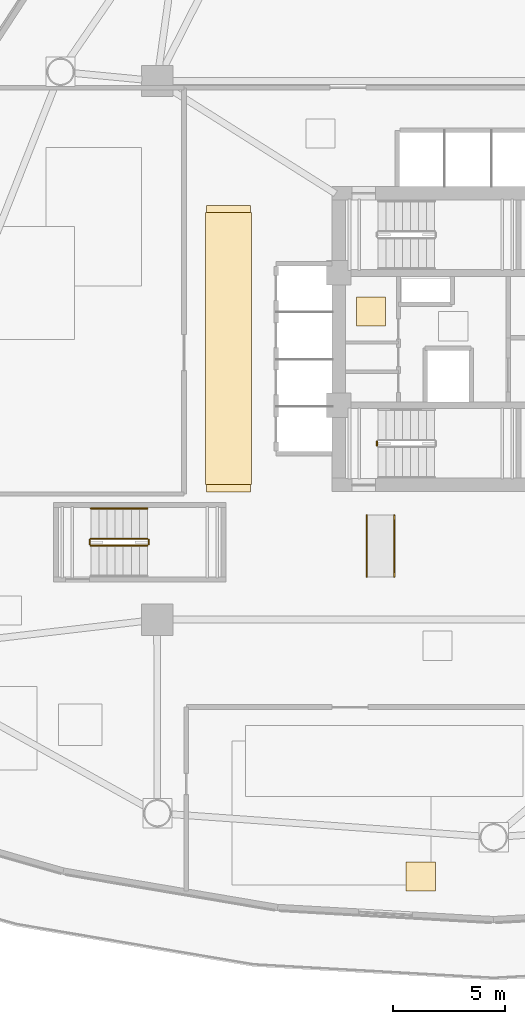
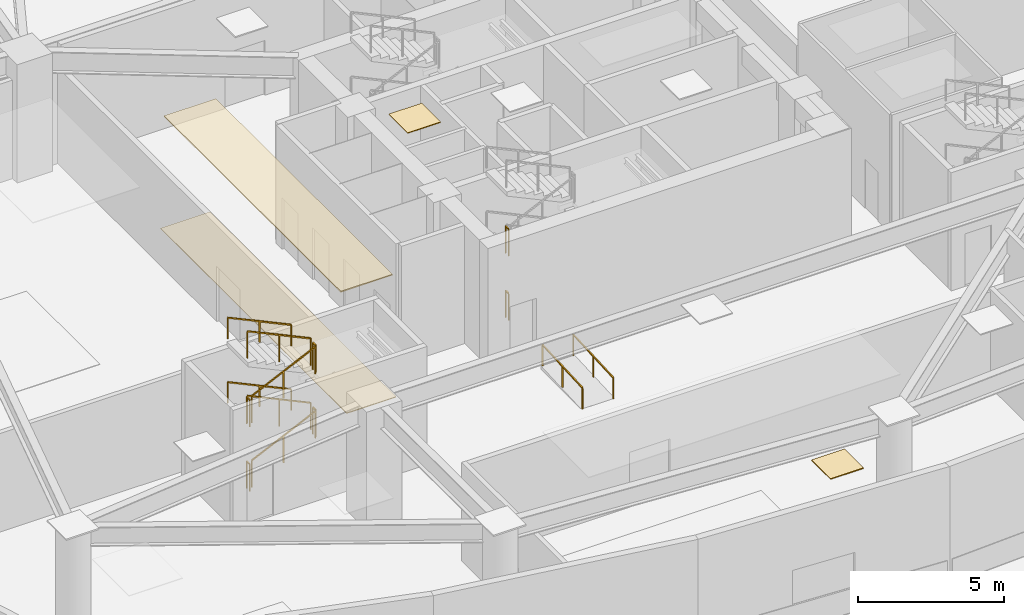
# One storey, part 8 of 13: 14 railings, 4 coverings.
"""IFC4 building model written with IfcOpenShell, lengths in metres."""

from ifc_helpers import new_model, si_unit, direction, frame, origin, origin_2d, place, context, subcontext, project, spatial, polyline, rectangle, outline, extrude, material, layer, layer_set, type_object, element, save


model = new_model("IFC4")

# Units and contexts
model_context = context("Model", 3, precision=1e-05, world=origin(), true_north=direction((0.0, 1.0)))
body_context = subcontext(model_context, "Body", "Model", "MODEL_VIEW")
ifc_project = project(units=[si_unit("LENGTHUNIT", "METRE"), si_unit("AREAUNIT", "SQUARE_METRE"), si_unit("VOLUMEUNIT", "CUBIC_METRE"), si_unit("PLANEANGLEUNIT", "RADIAN"), si_unit("MASSUNIT", "GRAM", prefix="KILO")], contexts=[model_context])

# Site, building, storey
site_placement = place(None, origin())
site = spatial("IfcSite", under=ifc_project, at=site_placement, CompositionType="ELEMENT")
building_placement = place(site_placement, origin())
building = spatial("IfcBuilding", under=site, at=building_placement, Name="Tavelor Broadcast Tower", CompositionType="ELEMENT")
storey_placement = place(building_placement, frame((0.0, 0.0, 16.800048828125)))
storey = spatial("IfcBuildingStorey", under=building, at=storey_placement, Name="L03", CompositionType="ELEMENT", Elevation=16.800048828125)

# Covering
ifc_material_1 = material(Name="Copper-Bronze Anodized Aluminium", Category="aluminium")
ifc_layer_1 = layer(ifc_material_1, 0.044921875)
ifc_layer_set_1 = layer_set([ifc_layer_1], Name="Copper-Bronze Anodized Aluminium")
covering_type_1 = type_object("IfcCoveringType", Name="Anodised Bronze Linear Slatted Concourse Ceiling 45 mm", PredefinedType="CEILING", material=ifc_layer_set_1)
covering_1_placement = place(storey_placement, frame((0.0, 0.0, 4.905029296875)))
element("IfcCovering", 1, at=covering_1_placement, inside=storey, type_object=covering_type_1, Name="L03 Suspended Acoustic Ceiling 0082", PredefinedType="CEILING", context=body_context, shape_type="SweptSolid", body=[
    extrude(outline(polyline([(37.1484375, 38.51025390625), (39.201416015625, 38.51025390625), (39.201416015625, 50.639892578125), (37.1484375, 50.639892578125), (37.1484375, 38.51025390625)])), origin(), (0.0, 0.0, 1.0), 0.044921875),
])

# Railings
ifc_material_2 = material(Name="Steel S355", Category="steel")
railing_type_1 = type_object("IfcRailingType", Name="Continuous Brushed Stainless Handrail 900 mm", PredefinedType="HANDRAIL", material=ifc_material_2)
for number, where, name in (
    (2, (34.570068359375, 37.449951171875, 1.518798828125), "L03 ST3 stair handrail 2"),
    (3, (34.570068359375, 37.449951171875, 4.21875), "L03 ST3 stair handrail 4"),
):
    element("IfcRailing", number, at=place(storey_placement, frame(where)), inside=storey, type_object=railing_type_1, Name=name, PredefinedType="HANDRAIL", context=body_context, shape_type="SweptSolid", body=[
        extrude(rectangle(XDim=0.048095703125, YDim=0.048095703125, at=origin_2d()), frame((0.0, 0.0, 0.8759765625), z_axis=(-0.905473684625, 0.0, 0.424402410988), x_axis=(0.0, -1.0, 0.0)), (0.0, 0.0, 1.0), 2.783203125),
        extrude(rectangle(XDim=0.0419921875, YDim=0.0419921875, at=origin_2d()), origin(), (0.0, 0.0, 1.0), 0.851806640625),
        extrude(rectangle(XDim=0.0419921875, YDim=0.0419921875, at=origin_2d()), frame((-1.260009765625, 0.0, 0.590576171875)), (0.0, 0.0, 1.0), 0.851806640625),
        extrude(rectangle(XDim=0.0419921875, YDim=0.0419921875, at=origin_2d()), frame((-2.52001953125, 0.0, 1.18115234375)), (0.0, 0.0, 1.0), 0.851806640625),
    ])
for number, where, name in (
    (4, (44.35009765625, 34.39990234375, 0.0), "L03 Accessible Ramp Left Handrail"),
    (5, (45.570068359375, 34.39990234375, 0.0), "L03 Accessible Ramp Right Handrail"),
):
    element("IfcRailing", number, at=place(storey_placement, frame(where)), inside=storey, type_object=railing_type_1, Name=name, PredefinedType="HANDRAIL", context=body_context, shape_type="SweptSolid", body=[
        extrude(rectangle(XDim=0.048095703125, YDim=0.048095703125, at=origin_2d()), frame((0.0, 0.0, 0.8759765625), z_axis=(0.0, 0.99870862589, 0.050804336171), x_axis=(-1.0, 0.0, 0.0)), (0.0, 0.0, 1.0), 2.753662109375),
        extrude(rectangle(XDim=0.0419921875, YDim=0.0419921875, at=origin_2d()), origin(), (0.0, 0.0, 1.0), 0.851806640625),
        extrude(rectangle(XDim=0.0419921875, YDim=0.0419921875, at=origin_2d()), frame((0.0, 1.375, 0.06982421875)), (0.0, 0.0, 1.0), 0.851806640625),
        extrude(rectangle(XDim=0.0419921875, YDim=0.0419921875, at=origin_2d()), frame((0.0, 2.75, 0.139892578125)), (0.0, 0.0, 1.0), 0.851806640625),
    ])

# Coverings
ifc_material_3 = material(Name="Honed Natural Limestone Tile", Category="masonry")
ifc_layer_2 = layer(ifc_material_3, 0.030029296875)
ifc_layer_set_2 = layer_set([ifc_layer_2], Name="Honed Natural Limestone Tile")
covering_type_2 = type_object("IfcCoveringType", Name="Honed Jerusalem Limestone Concourse Flooring 30 mm", PredefinedType="FLOORING", material=ifc_layer_set_2)
covering_2_placement = place(storey_placement, origin())
element("IfcCovering", 6, at=covering_2_placement, inside=storey, type_object=covering_type_2, Name="L03 Broadcast Floor Finish 0035", PredefinedType="FLOORING", context=body_context, shape_type="SweptSolid", body=[
    extrude(outline(polyline([(37.193359375, 38.189208984375), (39.15673828125, 38.189208984375), (39.15673828125, 50.960693359375), (37.193359375, 50.960693359375), (37.193359375, 38.189208984375)])), origin(), (0.0, 0.0, 1.0), 0.030029296875),
])
ifc_material_4 = material(Name="Architectural Anodized Aluminium", Category="aluminium")
ifc_layer_3 = layer(ifc_material_4, 0.030029296875)
ifc_layer_set_3 = layer_set([ifc_layer_3], Name="Architectural Anodized Aluminium")
covering_type_3 = type_object("IfcCoveringType", Name="Moisture-Resistant Washroom Ceiling 30 mm", PredefinedType="CEILING", material=ifc_layer_set_3)
covering_3_placement = place(storey_placement, frame((0.0, 0.0, 4.919921875)))
element("IfcCovering", 7, at=covering_3_placement, inside=storey, type_object=covering_type_3, Name="L03 Suspended Acoustic Ceiling 0081", PredefinedType="CEILING", context=body_context, shape_type="SweptSolid", body=[
    extrude(outline(polyline([(43.8798828125, 45.573486328125), (45.179931640625, 45.573486328125), (45.179931640625, 46.87353515625), (43.8798828125, 46.87353515625), (43.8798828125, 45.573486328125)])), origin(), (0.0, 0.0, 1.0), 0.030029296875),
])

# Railings
railing_type_2 = type_object("IfcRailingType", Name="Stairwell Steel Safety Guardrail 1150 mm", PredefinedType="GUARDRAIL", material=ifc_material_2)
for number, where, name in (
    (8, (44.800048828125, 40.25, 2.699951171875), "L03 ST2 stair guard 4"),
    (9, (44.800048828125, 40.25, 0.0), "L03 ST2 stair guard 8"),
):
    element("IfcRailing", number, at=place(storey_placement, frame(where)), inside=storey, type_object=railing_type_2, Name=name, PredefinedType="GUARDRAIL", context=body_context, shape_type="SweptSolid", body=[
        extrude(rectangle(XDim=0.048095703125, YDim=0.048095703125, at=origin_2d()), frame((0.0, 0.0, 1.1259765625), z_axis=(0.0, 1.0, 0.0), x_axis=(-1.0, 0.0, 0.0)), (0.0, 0.0, 1.0), 0.199951171875),
        extrude(rectangle(XDim=0.0419921875, YDim=0.0419921875, at=origin_2d()), origin(), (0.0, 0.0, 1.0), 1.101806640625),
        extrude(rectangle(XDim=0.0419921875, YDim=0.0419921875, at=origin_2d()), frame((0.0, 0.199951171875, 0.0)), (0.0, 0.0, 1.0), 1.101806640625),
    ])
railing_1_placement = place(storey_placement, frame((32.050048828125, 35.800048828125, 0.168701171875)))
element("IfcRailing", 10, at=railing_1_placement, inside=storey, type_object=railing_type_2, Name="L03 ST3 stair guard 1", PredefinedType="GUARDRAIL", context=body_context, shape_type="SweptSolid", body=[
    extrude(rectangle(XDim=0.048095703125, YDim=0.048095703125, at=origin_2d()), frame((0.0, 0.0, 1.1259765625), z_axis=(0.905473684625, 0.0, 0.424402410988), x_axis=(0.0, 1.0, 0.0)), (0.0, 0.0, 1.0), 2.783203125),
    extrude(rectangle(XDim=0.0419921875, YDim=0.0419921875, at=origin_2d()), origin(), (0.0, 0.0, 1.0), 1.101806640625),
    extrude(rectangle(XDim=0.0419921875, YDim=0.0419921875, at=origin_2d()), frame((1.260009765625, 0.0, 0.590576171875)), (0.0, 0.0, 1.0), 1.101806640625),
    extrude(rectangle(XDim=0.0419921875, YDim=0.0419921875, at=origin_2d()), frame((2.52001953125, 0.0, 1.18115234375)), (0.0, 0.0, 1.0), 1.101806640625),
])
railing_2_placement = place(storey_placement, frame((34.6201171875, 35.85009765625, 1.349853515625)))
element("IfcRailing", 11, at=railing_2_placement, inside=storey, type_object=railing_type_2, Name="L03 ST3 stair guard 2", PredefinedType="GUARDRAIL", context=body_context, shape_type="SweptSolid", body=[
    extrude(rectangle(XDim=0.048095703125, YDim=0.048095703125, at=origin_2d()), frame((0.0, 0.0, 1.1259765625), z_axis=(0.0, 1.0, 0.0), x_axis=(-1.0, 0.0, 0.0)), (0.0, 0.0, 1.0), 0.199951171875),
    extrude(rectangle(XDim=0.0419921875, YDim=0.0419921875, at=origin_2d()), origin(), (0.0, 0.0, 1.0), 1.101806640625),
    extrude(rectangle(XDim=0.0419921875, YDim=0.0419921875, at=origin_2d()), frame((0.0, 0.199951171875, 0.0)), (0.0, 0.0, 1.0), 1.101806640625),
])
railing_3_placement = place(storey_placement, frame((34.570068359375, 36.10009765625, 1.518798828125)))
element("IfcRailing", 12, at=railing_3_placement, inside=storey, type_object=railing_type_2, Name="L03 ST3 stair guard 3", PredefinedType="GUARDRAIL", context=body_context, shape_type="SweptSolid", body=[
    extrude(rectangle(XDim=0.048095703125, YDim=0.048095703125, at=origin_2d()), frame((0.0, 0.0, 1.1259765625), z_axis=(-0.905473684625, 0.0, 0.424402410988), x_axis=(0.0, -1.0, 0.0)), (0.0, 0.0, 1.0), 2.783203125),
    extrude(rectangle(XDim=0.0419921875, YDim=0.0419921875, at=origin_2d()), origin(), (0.0, 0.0, 1.0), 1.101806640625),
    extrude(rectangle(XDim=0.0419921875, YDim=0.0419921875, at=origin_2d()), frame((-1.260009765625, 0.0, 0.590576171875)), (0.0, 0.0, 1.0), 1.101806640625),
    extrude(rectangle(XDim=0.0419921875, YDim=0.0419921875, at=origin_2d()), frame((-2.52001953125, 0.0, 1.18115234375)), (0.0, 0.0, 1.0), 1.101806640625),
])
railing_4_placement = place(storey_placement, frame((32.0, 35.85009765625, 2.699951171875)))
element("IfcRailing", 13, at=railing_4_placement, inside=storey, type_object=railing_type_2, Name="L03 ST3 stair guard 4", PredefinedType="GUARDRAIL", context=body_context, shape_type="SweptSolid", body=[
    extrude(rectangle(XDim=0.048095703125, YDim=0.048095703125, at=origin_2d()), frame((0.0, 0.0, 1.1259765625), z_axis=(0.0, 1.0, 0.0), x_axis=(-1.0, 0.0, 0.0)), (0.0, 0.0, 1.0), 0.199951171875),
    extrude(rectangle(XDim=0.0419921875, YDim=0.0419921875, at=origin_2d()), origin(), (0.0, 0.0, 1.0), 1.101806640625),
    extrude(rectangle(XDim=0.0419921875, YDim=0.0419921875, at=origin_2d()), frame((0.0, 0.199951171875, 0.0)), (0.0, 0.0, 1.0), 1.101806640625),
])
railing_5_placement = place(storey_placement, frame((32.050048828125, 35.800048828125, 2.86865234375)))
element("IfcRailing", 14, at=railing_5_placement, inside=storey, type_object=railing_type_2, Name="L03 ST3 stair guard 5", PredefinedType="GUARDRAIL", context=body_context, shape_type="SweptSolid", body=[
    extrude(rectangle(XDim=0.048095703125, YDim=0.048095703125, at=origin_2d()), frame((0.0, 0.0, 1.1259765625), z_axis=(0.905439972488, 0.0, 0.424474329284), x_axis=(0.0, 1.0, 0.0)), (0.0, 0.0, 1.0), 2.783203125),
    extrude(rectangle(XDim=0.0419921875, YDim=0.0419921875, at=origin_2d()), origin(), (0.0, 0.0, 1.0), 1.101806640625),
    extrude(rectangle(XDim=0.0419921875, YDim=0.0419921875, at=origin_2d()), frame((1.260009765625, 0.0, 0.5908203125)), (0.0, 0.0, 1.0), 1.101806640625),
    extrude(rectangle(XDim=0.0419921875, YDim=0.0419921875, at=origin_2d()), frame((2.52001953125, 0.0, 1.181396484375)), (0.0, 0.0, 1.0), 1.101806640625),
])
railing_6_placement = place(storey_placement, frame((34.6201171875, 35.85009765625, 4.050048828125)))
element("IfcRailing", 15, at=railing_6_placement, inside=storey, type_object=railing_type_2, Name="L03 ST3 stair guard 6", PredefinedType="GUARDRAIL", context=body_context, shape_type="SweptSolid", body=[
    extrude(rectangle(XDim=0.048095703125, YDim=0.048095703125, at=origin_2d()), frame((0.0, 0.0, 1.1259765625), z_axis=(0.0, 1.0, 0.0), x_axis=(-1.0, 0.0, 0.0)), (0.0, 0.0, 1.0), 0.199951171875),
    extrude(rectangle(XDim=0.0419921875, YDim=0.0419921875, at=origin_2d()), origin(), (0.0, 0.0, 1.0), 1.101806640625),
    extrude(rectangle(XDim=0.0419921875, YDim=0.0419921875, at=origin_2d()), frame((0.0, 0.199951171875, 0.0)), (0.0, 0.0, 1.0), 1.101806640625),
])
railing_7_placement = place(storey_placement, frame((34.570068359375, 36.10009765625, 4.21875)))
element("IfcRailing", 16, at=railing_7_placement, inside=storey, type_object=railing_type_2, Name="L03 ST3 stair guard 7", PredefinedType="GUARDRAIL", context=body_context, shape_type="SweptSolid", body=[
    extrude(rectangle(XDim=0.048095703125, YDim=0.048095703125, at=origin_2d()), frame((0.0, 0.0, 1.1259765625), z_axis=(-0.905473684625, 0.0, 0.424402410988), x_axis=(0.0, -1.0, 0.0)), (0.0, 0.0, 1.0), 2.783203125),
    extrude(rectangle(XDim=0.0419921875, YDim=0.0419921875, at=origin_2d()), origin(), (0.0, 0.0, 1.0), 1.101806640625),
    extrude(rectangle(XDim=0.0419921875, YDim=0.0419921875, at=origin_2d()), frame((-1.260009765625, 0.0, 0.590576171875)), (0.0, 0.0, 1.0), 1.101806640625),
    extrude(rectangle(XDim=0.0419921875, YDim=0.0419921875, at=origin_2d()), frame((-2.52001953125, 0.0, 1.18115234375)), (0.0, 0.0, 1.0), 1.101806640625),
])
railing_8_placement = place(storey_placement, frame((32.0, 35.85009765625, 0.0)))
element("IfcRailing", 17, at=railing_8_placement, inside=storey, type_object=railing_type_2, Name="L03 ST3 stair guard 8", PredefinedType="GUARDRAIL", context=body_context, shape_type="SweptSolid", body=[
    extrude(rectangle(XDim=0.048095703125, YDim=0.048095703125, at=origin_2d()), frame((0.0, 0.0, 1.1259765625), z_axis=(0.0, 1.0, 0.0), x_axis=(-1.0, 0.0, 0.0)), (0.0, 0.0, 1.0), 0.199951171875),
    extrude(rectangle(XDim=0.0419921875, YDim=0.0419921875, at=origin_2d()), origin(), (0.0, 0.0, 1.0), 1.101806640625),
    extrude(rectangle(XDim=0.0419921875, YDim=0.0419921875, at=origin_2d()), frame((0.0, 0.199951171875, 0.0)), (0.0, 0.0, 1.0), 1.101806640625),
])

# Covering
ifc_material_5 = material(Name="Acoustic Mineral Fibre Tile")
ifc_layer_4 = layer(ifc_material_5, 0.0400390625)
ifc_layer_set_4 = layer_set([ifc_layer_4], Name="Acoustic Mineral Fibre Tile")
covering_type_4 = type_object("IfcCoveringType", Name="Suspended Acoustic Mineral-Fibre Office Ceiling 40 mm", PredefinedType="CEILING", material=ifc_layer_set_4)
covering_4_placement = place(storey_placement, frame((0.0, 0.0, 4.909912109375)))
element("IfcCovering", 18, at=covering_4_placement, inside=storey, type_object=covering_type_4, Name="L03 Suspended Acoustic Ceiling 0085", PredefinedType="CEILING", context=body_context, shape_type="SweptSolid", body=[
    extrude(outline(polyline([(46.10009765625, 20.40283203125), (47.39990234375, 20.40283203125), (47.39990234375, 21.702880859375), (46.10009765625, 21.702880859375), (46.10009765625, 20.40283203125)])), origin(), (0.0, 0.0, 1.0), 0.0400390625),
])

save(model, "model.ifc")
